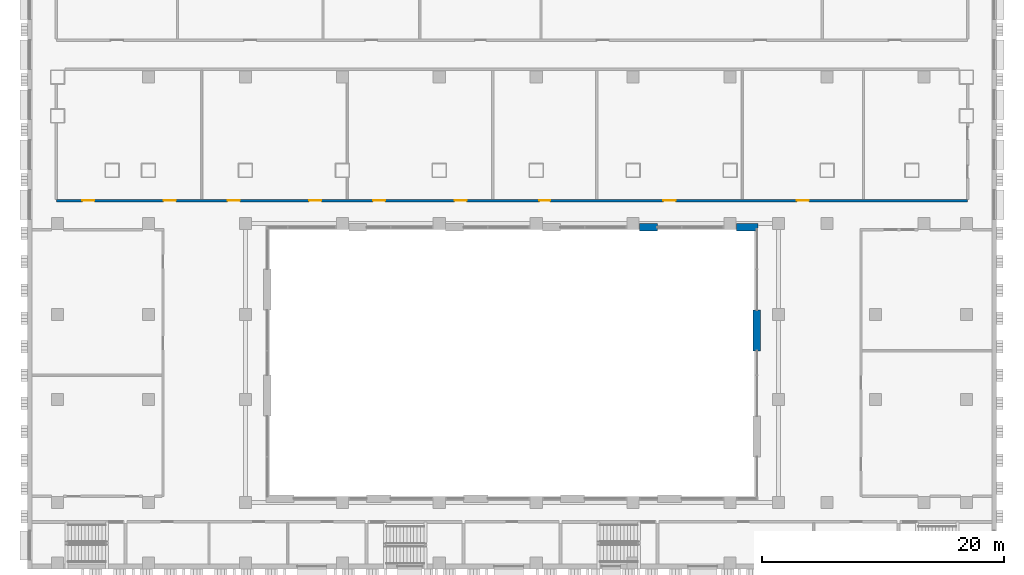
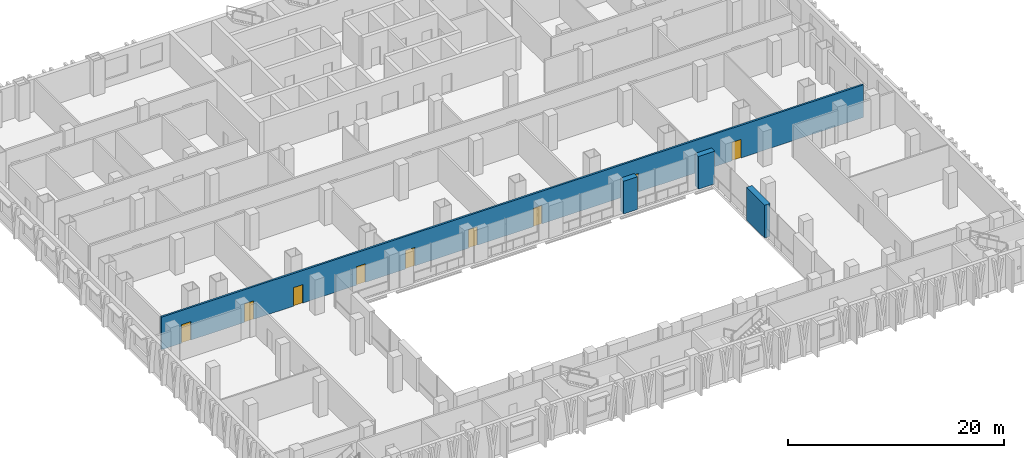
# One storey, part 10 of 25: 9 doors, 4 walls, 9 openings.
"""IFC4 building model written with IfcOpenShell, lengths in metres."""

from ifc_helpers import new_model, si_unit, direction, frame, frame_2d, origin, place, context, subcontext, project, spatial, rectangle, extrude, material, layer, layer_set, type_object, element, fill, save


model = new_model("IFC4")

# Units and contexts
model_context = context("Model", 3, precision=1e-05, world=origin(), true_north=direction((0.0, 1.0)))
body_context = subcontext(model_context, "Body", "Model", "MODEL_VIEW")
ifc_project = project(units=[si_unit("LENGTHUNIT", "METRE"), si_unit("AREAUNIT", "SQUARE_METRE"), si_unit("VOLUMEUNIT", "CUBIC_METRE"), si_unit("PLANEANGLEUNIT", "RADIAN"), si_unit("MASSUNIT", "GRAM", prefix="KILO")], contexts=[model_context])

# Site, building, storey
site_placement = place(None, origin())
site = spatial("IfcSite", under=ifc_project, at=site_placement, CompositionType="ELEMENT")
building_placement = place(site_placement, origin())
building = spatial("IfcBuilding", under=site, at=building_placement, Name="Vidyagriha Tower", CompositionType="ELEMENT")
storey_placement = place(building_placement, frame((0.0, 0.0, 14.0)))
storey = spatial("IfcBuildingStorey", under=building, at=storey_placement, Name="L03", CompositionType="ELEMENT", Elevation=14.0)

# Walls
ifc_material_1 = material(Name="Precast concrete C40/50 with brick facing", Category="concrete")
ifc_layer_1 = layer(ifc_material_1, 0.60009765625)
ifc_layer_set_1 = layer_set([ifc_layer_1], Name="Precast concrete C40/50 with brick facing")
wall_type_1 = type_object("IfcWallType", Name="Brick-faced precast wall 600", PredefinedType="STANDARD", material=ifc_layer_set_1)
wall_1_placement = place(storey_placement, frame((10.530029296875, -21.800048828125, 0.0)))
element("IfcWall", 1, at=wall_1_placement, inside=storey, type_object=wall_type_1, Name="Brick door bay wall L03 R09.16", PredefinedType="STANDARD", context=body_context, shape_type="SweptSolid", body=[
    extrude(rectangle(XDim=1.469970703125, YDim=0.60009765625, at=frame_2d((0.73486328125, 0.0))), origin(), (0.0, 0.0, 1.0), 3.699951171875),
])
wall_2_placement = place(storey_placement, frame((18.530029296875, -21.800048828125, 0.0)))
element("IfcWall", 2, at=wall_2_placement, inside=storey, type_object=wall_type_1, Name="Brick door bay wall L03 R09.20", PredefinedType="STANDARD", context=body_context, shape_type="SweptSolid", body=[
    extrude(rectangle(XDim=1.75, YDim=0.60009765625, at=frame_2d((0.875, 0.0))), origin(), (0.0, 0.0, 1.0), 3.699951171875),
])
wall_3_placement = place(storey_placement, frame((20.199951171875, -28.626708984375, 0.0), z_axis=(0.0, 0.0, 1.0), x_axis=(0.0, -1.0, 0.0)))
element("IfcWall", 3, at=wall_3_placement, inside=storey, type_object=wall_type_1, Name="Brick door bay wall L03 R10.3", PredefinedType="STANDARD", context=body_context, shape_type="SweptSolid", body=[
    extrude(rectangle(XDim=3.373291015625, YDim=0.60009765625, at=frame_2d((1.6865234375, 0.0))), origin(), (0.0, 0.0, 1.0), 3.699951171875),
])

# Wall, openings, doors
ifc_material_2 = material(Name="Fire rated gypsum board on light gauge framing")
ifc_layer_2 = layer(ifc_material_2, 0.199951171875)
ifc_layer_set_2 = layer_set([ifc_layer_2], Name="Fire rated gypsum board on light gauge framing")
wall_type_2 = type_object("IfcWallType", Name="Fire Rated Corridor Wall 200", PredefinedType="PARTITIONING", material=ifc_layer_set_2)
wall_4_placement = place(storey_placement, frame((-37.599853515625, -19.60009765625, 0.0)))
wall_4 = element("IfcWall", 4, at=wall_4_placement, inside=storey, type_object=wall_type_2, Name="L03 Fire Rated Corridor Wall 200 021", PredefinedType="PARTITIONING", context=body_context, shape_type="SweptSolid", body=[
    extrude(rectangle(XDim=75.19970703125, YDim=0.199951171875, at=frame_2d((37.599853515625, 0.0))), origin(), (0.0, 0.0, 1.0), 3.699951171875),
])
opening_1_placement = place(wall_4_placement, frame((2.139892578125, 0.0, 0.0)))
opening_1 = element("IfcOpeningElement", 5, at=opening_1_placement, cuts=wall_4, Name="Opening D03-28", PredefinedType="OPENING", context=body_context, shape_type="SweptSolid", body=[
    extrude(rectangle(XDim=1.0, YDim=2.10009765625, at=frame_2d((0.5, 1.050048828125))), frame((0.0, 0.10986328125, 0.0), z_axis=(0.0, -1.0, 0.0), x_axis=(1.0, 0.0, 0.0)), (0.0, 0.0, 1.0), 0.219970703125),
])
opening_2_placement = place(wall_4_placement, frame((8.85986328125, 0.0, 0.0)))
opening_2 = element("IfcOpeningElement", 6, at=opening_2_placement, cuts=wall_4, Name="Opening D03-29", PredefinedType="OPENING", context=body_context, shape_type="SweptSolid", body=[
    extrude(rectangle(XDim=1.0, YDim=2.10009765625, at=frame_2d((0.5, 1.050048828125))), frame((0.0, 0.10986328125, 0.0), z_axis=(0.0, -1.0, 0.0), x_axis=(1.0, 0.0, 0.0)), (0.0, 0.0, 1.0), 0.219970703125),
])
opening_3_placement = place(wall_4_placement, frame((14.139892578125, 0.0, 0.0)))
opening_3 = element("IfcOpeningElement", 7, at=opening_3_placement, cuts=wall_4, Name="Opening D03-30", PredefinedType="OPENING", context=body_context, shape_type="SweptSolid", body=[
    extrude(rectangle(XDim=1.0, YDim=2.10009765625, at=frame_2d((0.5, 1.050048828125))), frame((0.0, 0.10986328125, 0.0), z_axis=(0.0, -1.0, 0.0), x_axis=(1.0, 0.0, 0.0)), (0.0, 0.0, 1.0), 0.219970703125),
])
opening_4_placement = place(wall_4_placement, frame((20.85986328125, 0.0, 0.0)))
opening_4 = element("IfcOpeningElement", 8, at=opening_4_placement, cuts=wall_4, Name="Opening D03-31", PredefinedType="OPENING", context=body_context, shape_type="SweptSolid", body=[
    extrude(rectangle(XDim=1.0, YDim=2.10009765625, at=frame_2d((0.5, 1.050048828125))), frame((0.0, 0.10986328125, 0.0), z_axis=(0.0, -1.0, 0.0), x_axis=(1.0, 0.0, 0.0)), (0.0, 0.0, 1.0), 0.219970703125),
])
opening_5_placement = place(wall_4_placement, frame((26.139892578125, 0.0, 0.0)))
opening_5 = element("IfcOpeningElement", 9, at=opening_5_placement, cuts=wall_4, Name="Opening D03-32", PredefinedType="OPENING", context=body_context, shape_type="SweptSolid", body=[
    extrude(rectangle(XDim=1.0, YDim=2.10009765625, at=frame_2d((0.5, 1.050048828125))), frame((0.0, 0.10986328125, 0.0), z_axis=(0.0, -1.0, 0.0), x_axis=(1.0, 0.0, 0.0)), (0.0, 0.0, 1.0), 0.219970703125),
])
opening_6_placement = place(wall_4_placement, frame((32.85986328125, 0.0, 0.0)))
opening_6 = element("IfcOpeningElement", 10, at=opening_6_placement, cuts=wall_4, Name="Opening D03-33", PredefinedType="OPENING", context=body_context, shape_type="SweptSolid", body=[
    extrude(rectangle(XDim=1.0, YDim=2.10009765625, at=frame_2d((0.5, 1.050048828125))), frame((0.0, 0.10986328125, 0.0), z_axis=(0.0, -1.0, 0.0), x_axis=(1.0, 0.0, 0.0)), (0.0, 0.0, 1.0), 0.219970703125),
])
opening_7_placement = place(wall_4_placement, frame((39.849853515625, 0.0, 0.0)))
opening_7 = element("IfcOpeningElement", 11, at=opening_7_placement, cuts=wall_4, Name="Opening D03-34", PredefinedType="OPENING", context=body_context, shape_type="SweptSolid", body=[
    extrude(rectangle(XDim=0.89990234375, YDim=2.10009765625, at=frame_2d((0.449951171875, 1.050048828125))), frame((0.0, 0.10986328125, 0.0), z_axis=(0.0, -1.0, 0.0), x_axis=(1.0, 0.0, 0.0)), (0.0, 0.0, 1.0), 0.219970703125),
])
opening_8_placement = place(wall_4_placement, frame((50.099853515625, 0.0, 0.0)))
opening_8 = element("IfcOpeningElement", 12, at=opening_8_placement, cuts=wall_4, Name="Opening D03-35", PredefinedType="OPENING", context=body_context, shape_type="SweptSolid", body=[
    extrude(rectangle(XDim=1.0, YDim=2.10009765625, at=frame_2d((0.5, 1.050048828125))), frame((0.0, 0.10986328125, 0.0), z_axis=(0.0, -1.0, 0.0), x_axis=(1.0, 0.0, 0.0)), (0.0, 0.0, 1.0), 0.219970703125),
])
opening_9_placement = place(wall_4_placement, frame((61.099853515625, 0.0, 0.0)))
opening_9 = element("IfcOpeningElement", 13, at=opening_9_placement, cuts=wall_4, Name="Opening D03-36", PredefinedType="OPENING", context=body_context, shape_type="SweptSolid", body=[
    extrude(rectangle(XDim=1.0, YDim=2.10009765625, at=frame_2d((0.5, 1.050048828125))), frame((0.0, 0.10986328125, 0.0), z_axis=(0.0, -1.0, 0.0), x_axis=(1.0, 0.0, 0.0)), (0.0, 0.0, 1.0), 0.219970703125),
])
ifc_material_3 = material(Name="Steel fire door set", Category="steel")
door_type_1 = type_object("IfcDoorType", Name="Podium Door 1000x2100 EI 30", OperationType="NOTDEFINED", PredefinedType="DOOR", material=ifc_material_3)
door_1_placement = place(opening_1_placement, origin())
door_1 = element("IfcDoor", 14, at=door_1_placement, inside=storey, type_object=door_type_1, Name="L03 door D03-28", OperationType="SINGLE_SWING_LEFT", OverallHeight=2.10009765625, OverallWidth=1.0, PredefinedType="DOOR", context=body_context, shape_type="SweptSolid", body=[
    extrude(rectangle(XDim=1.0, YDim=2.10009765625, at=frame_2d((0.5, 1.050048828125))), frame((0.0, 0.02490234375, 0.0), z_axis=(0.0, -1.0, 0.0), x_axis=(1.0, 0.0, 0.0)), (0.0, 0.0, 1.0), 0.050048828125),
])
fill(opening_1, door_1)
door_2_placement = place(opening_2_placement, origin())
door_2 = element("IfcDoor", 15, at=door_2_placement, inside=storey, type_object=door_type_1, Name="L03 door D03-29", OperationType="SINGLE_SWING_LEFT", OverallHeight=2.10009765625, OverallWidth=1.0, PredefinedType="DOOR", context=body_context, shape_type="SweptSolid", body=[
    extrude(rectangle(XDim=1.0, YDim=2.10009765625, at=frame_2d((0.5, 1.050048828125))), frame((0.0, 0.02490234375, 0.0), z_axis=(0.0, -1.0, 0.0), x_axis=(1.0, 0.0, 0.0)), (0.0, 0.0, 1.0), 0.050048828125),
])
fill(opening_2, door_2)
door_3_placement = place(opening_3_placement, origin())
door_3 = element("IfcDoor", 16, at=door_3_placement, inside=storey, type_object=door_type_1, Name="L03 door D03-30", OperationType="SINGLE_SWING_LEFT", OverallHeight=2.10009765625, OverallWidth=1.0, PredefinedType="DOOR", context=body_context, shape_type="SweptSolid", body=[
    extrude(rectangle(XDim=1.0, YDim=2.10009765625, at=frame_2d((0.5, 1.050048828125))), frame((0.0, 0.02490234375, 0.0), z_axis=(0.0, -1.0, 0.0), x_axis=(1.0, 0.0, 0.0)), (0.0, 0.0, 1.0), 0.050048828125),
])
fill(opening_3, door_3)
door_4_placement = place(opening_4_placement, origin())
door_4 = element("IfcDoor", 17, at=door_4_placement, inside=storey, type_object=door_type_1, Name="L03 door D03-31", OperationType="SINGLE_SWING_LEFT", OverallHeight=2.10009765625, OverallWidth=1.0, PredefinedType="DOOR", context=body_context, shape_type="SweptSolid", body=[
    extrude(rectangle(XDim=1.0, YDim=2.10009765625, at=frame_2d((0.5, 1.050048828125))), frame((0.0, 0.02490234375, 0.0), z_axis=(0.0, -1.0, 0.0), x_axis=(1.0, 0.0, 0.0)), (0.0, 0.0, 1.0), 0.050048828125),
])
fill(opening_4, door_4)
door_5_placement = place(opening_5_placement, origin())
door_5 = element("IfcDoor", 18, at=door_5_placement, inside=storey, type_object=door_type_1, Name="L03 door D03-32", OperationType="SINGLE_SWING_LEFT", OverallHeight=2.10009765625, OverallWidth=1.0, PredefinedType="DOOR", context=body_context, shape_type="SweptSolid", body=[
    extrude(rectangle(XDim=1.0, YDim=2.10009765625, at=frame_2d((0.5, 1.050048828125))), frame((0.0, 0.02490234375, 0.0), z_axis=(0.0, -1.0, 0.0), x_axis=(1.0, 0.0, 0.0)), (0.0, 0.0, 1.0), 0.050048828125),
])
fill(opening_5, door_5)
door_6_placement = place(opening_6_placement, origin())
door_6 = element("IfcDoor", 19, at=door_6_placement, inside=storey, type_object=door_type_1, Name="L03 door D03-33", OperationType="SINGLE_SWING_LEFT", OverallHeight=2.10009765625, OverallWidth=1.0, PredefinedType="DOOR", context=body_context, shape_type="SweptSolid", body=[
    extrude(rectangle(XDim=1.0, YDim=2.10009765625, at=frame_2d((0.5, 1.050048828125))), frame((0.0, 0.02490234375, 0.0), z_axis=(0.0, -1.0, 0.0), x_axis=(1.0, 0.0, 0.0)), (0.0, 0.0, 1.0), 0.050048828125),
])
fill(opening_6, door_6)
door_7_placement = place(opening_8_placement, origin())
door_7 = element("IfcDoor", 20, at=door_7_placement, inside=storey, type_object=door_type_1, Name="L03 door D03-35", OperationType="SINGLE_SWING_RIGHT", OverallHeight=2.10009765625, OverallWidth=1.0, PredefinedType="DOOR", context=body_context, shape_type="SweptSolid", body=[
    extrude(rectangle(XDim=1.0, YDim=2.10009765625, at=frame_2d((0.5, 1.050048828125))), frame((0.0, 0.02490234375, 0.0), z_axis=(0.0, -1.0, 0.0), x_axis=(1.0, 0.0, 0.0)), (0.0, 0.0, 1.0), 0.050048828125),
])
fill(opening_8, door_7)
door_8_placement = place(opening_9_placement, origin())
door_8 = element("IfcDoor", 21, at=door_8_placement, inside=storey, type_object=door_type_1, Name="L03 door D03-36", OperationType="SINGLE_SWING_RIGHT", OverallHeight=2.10009765625, OverallWidth=1.0, PredefinedType="DOOR", context=body_context, shape_type="SweptSolid", body=[
    extrude(rectangle(XDim=1.0, YDim=2.10009765625, at=frame_2d((0.5, 1.050048828125))), frame((0.0, 0.02490234375, 0.0), z_axis=(0.0, -1.0, 0.0), x_axis=(1.0, 0.0, 0.0)), (0.0, 0.0, 1.0), 0.050048828125),
])
fill(opening_9, door_8)
ifc_material_4 = material(Name="Steel fire door set", Category="steel")
door_type_2 = type_object("IfcDoorType", Name="Podium Door 900x2100 EI 30", OperationType="NOTDEFINED", PredefinedType="DOOR", material=ifc_material_4)
door_9_placement = place(opening_7_placement, origin())
door_9 = element("IfcDoor", 22, at=door_9_placement, inside=storey, type_object=door_type_2, Name="L03 door D03-34", OperationType="SINGLE_SWING_RIGHT", OverallHeight=2.10009765625, OverallWidth=0.89990234375, PredefinedType="DOOR", context=body_context, shape_type="SweptSolid", body=[
    extrude(rectangle(XDim=0.89990234375, YDim=2.10009765625, at=frame_2d((0.449951171875, 1.050048828125))), frame((0.0, 0.02490234375, 0.0), z_axis=(0.0, -1.0, 0.0), x_axis=(1.0, 0.0, 0.0)), (0.0, 0.0, 1.0), 0.050048828125),
])
fill(opening_7, door_9)

save(model, "model.ifc")
